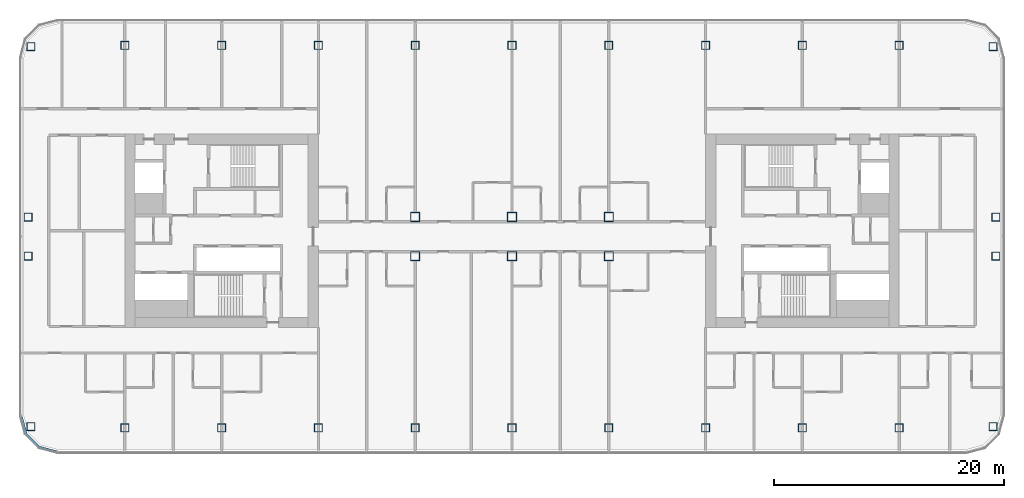
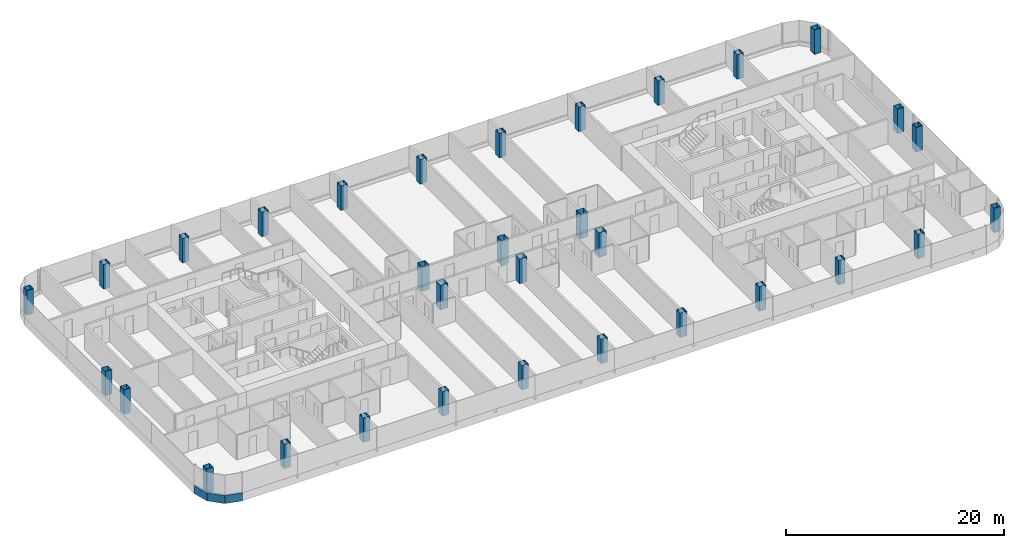
# One storey, part 1 of 26: 32 columns, 1 member, 1 element without a shape of its own.
"""IFC4 building model written with IfcOpenShell, lengths in metres."""

from ifc_helpers import new_model, si_unit, direction, frame, origin, origin_2d, place, context, subcontext, project, spatial, polyline, rectangle, hollow_rectangle, outline, extrude, material, layer, layer_set, material_profile, profile_set, type_object, element, aggregate, save


model = new_model("IFC4")

# Units and contexts
model_context = context("Model", 3, precision=1e-05, world=origin(), true_north=direction((0.0, 1.0)))
body_context = subcontext(model_context, "Body", "Model", "MODEL_VIEW")
ifc_project = project(units=[si_unit("LENGTHUNIT", "METRE"), si_unit("AREAUNIT", "SQUARE_METRE"), si_unit("VOLUMEUNIT", "CUBIC_METRE"), si_unit("PLANEANGLEUNIT", "RADIAN"), si_unit("MASSUNIT", "GRAM", prefix="KILO")], contexts=[model_context])

# Site, building, storey
site_placement = place(None, origin())
site = spatial("IfcSite", under=ifc_project, at=site_placement, CompositionType="ELEMENT")
building_placement = place(site_placement, origin())
building = spatial("IfcBuilding", under=site, at=building_placement, Name="Hakoniwa Tower and Hamabe Station Hall", CompositionType="ELEMENT")
storey_placement = place(building_placement, frame((0.0, 0.0, 156.60009765625)))
storey = spatial("IfcBuildingStorey", under=building, at=storey_placement, Name="L44", CompositionType="ELEMENT", Elevation=156.60009765625)

# Columns
ifc_material_1 = material(Name="Steel SN490C", Category="steel")
ifc_material_profile_1 = material_profile(ifc_material_1, hollow_rectangle(XDim=0.699951171875, YDim=0.699951171875, WallThickness=0.028076171875, at=origin_2d()), Name="BX-700x700x28")
ifc_profile_set_1 = profile_set([ifc_material_profile_1], Name="Steel SN490C")
column_type_1 = type_object("IfcColumnType", Name="COLUMN BX-700x700x28", PredefinedType="COLUMN", material=ifc_profile_set_1)
for number, where, z_axis, x_axis, name in (
    (1, (-41.74853515625, -16.99365234375, 0.0), (0.0, 0.0, 1.0), (1.0, 0.0, 0.0), "Column B3-2-A3"),
    (2, (-42.0, -2.199951171875, 0.0), (0.0, 0.0, 1.0), (1.0, 0.0, 0.0), "Column B3-2-C3"),
    (3, (-42.0, 1.199951171875, 0.0), (0.0, 0.0, 1.0), (1.0, 0.0, 0.0), "Column B3-2-D3"),
    (4, (-41.74853515625, 15.99365234375, 0.0), (0.0, 0.0, 1.0), (1.0, 0.0, 0.0), "Column B3-2-F3"),
    (5, (-33.60009765625, -17.10009765625, 0.0), (0.0, 0.0, 1.0), (1.0, 0.0, 0.0), "Column B3-3-A3"),
    (6, (-33.60009765625, 16.10009765625, 0.0), (0.0, 0.0, 1.0), (1.0, 0.0, 0.0), "Column B3-3-F3"),
    (7, (-25.199951171875, -17.10009765625, 0.0), (0.0, 0.0, 1.0), (1.0, 0.0, 0.0), "Column B3-4-A3"),
    (8, (-25.199951171875, 16.10009765625, 0.0), (0.0, 0.0, 1.0), (1.0, 0.0, 0.0), "Column B3-4-F3"),
    (9, (-16.800048828125, -17.10009765625, 0.0), (0.0, 0.0, 1.0), (1.0, 0.0, 0.0), "Column B3-5-A3"),
    (10, (-16.800048828125, 16.10009765625, 0.0), (0.0, 0.0, 1.0), (1.0, 0.0, 0.0), "Column B3-5-F3"),
    (11, (-8.39990234375, -17.10009765625, 0.0), (0.0, 0.0, 1.0), (1.0, 0.0, 0.0), "Column B3-6-A3"),
    (12, (-8.39990234375, 16.10009765625, 0.0), (0.0, 0.0, 1.0), (1.0, 0.0, 0.0), "Column B3-6-F3"),
    (13, (0.0, -17.10009765625, 0.0), (0.0, 0.0, 1.0), (1.0, 0.0, 0.0), "Column B3-7-A3"),
    (14, (0.0, 16.10009765625, 0.0), (0.0, 0.0, 1.0), (1.0, 0.0, 0.0), "Column B3-7-F3"),
    (15, (8.39990234375, -17.10009765625, 0.0), (0.0, 0.0, 1.0), (1.0, 0.0, 0.0), "Column B3-8-A3"),
    (16, (8.39990234375, 16.10009765625, 0.0), (0.0, 0.0, 1.0), (1.0, 0.0, 0.0), "Column B3-8-F3"),
    (17, (16.800048828125, -17.10009765625, 0.0), (0.0, 0.0, 1.0), (1.0, 0.0, 0.0), "Column B3-9-A3"),
    (18, (16.800048828125, 16.10009765625, 0.0), (0.0, 0.0, 1.0), (1.0, 0.0, 0.0), "Column B3-9-F3"),
    (19, (25.199951171875, -17.10009765625, 0.0), (0.0, 0.0, 1.0), (1.0, 0.0, 0.0), "Column B3-10-A3"),
    (20, (25.199951171875, 16.10009765625, 0.0), (0.0, 0.0, 1.0), (1.0, 0.0, 0.0), "Column B3-10-F3"),
    (21, (33.60009765625, -17.10009765625, 0.0), (0.0, 0.0, 1.0), (1.0, 0.0, 0.0), "Column B3-11-A3"),
    (22, (33.60009765625, 16.10009765625, 0.0), (0.0, 0.0, 1.0), (1.0, 0.0, 0.0), "Column B3-11-F3"),
    (23, (41.74853515625, -16.99365234375, 0.0), (0.0, 0.0, 1.0), (1.0, 0.0, 0.0), "Column B3-12-A3"),
    (24, (42.0, -2.199951171875, 0.0), (0.0, 0.0, 1.0), (1.0, 0.0, 0.0), "Column B3-12-C3"),
    (25, (42.0, 1.199951171875, 0.0), (0.0, 0.0, 1.0), (1.0, 0.0, 0.0), "Column B3-12-D3"),
    (26, (41.74853515625, 15.99365234375, 0.0), (0.0, 0.0, 1.0), (1.0, 0.0, 0.0), "Column B3-12-F3"),
):
    element("IfcColumn", number, at=place(storey_placement, frame(where, z_axis=z_axis, x_axis=x_axis)), inside=storey, type_object=column_type_1, Name=name, PredefinedType="COLUMN", context=body_context, shape_type="SweptSolid", body=[
        extrude(hollow_rectangle(XDim=0.699951171875, YDim=0.699951171875, WallThickness=0.028076171875, at=origin_2d()), origin(), (0.0, 0.0, 1.0), 2.75),
    ])
ifc_material_2 = material(Name="Steel SN490C", Category="steel")
ifc_material_profile_2 = material_profile(ifc_material_2, hollow_rectangle(XDim=0.800048828125, YDim=0.800048828125, WallThickness=0.031982421875, at=origin_2d()), Name="BX-800x800x32")
ifc_profile_set_2 = profile_set([ifc_material_profile_2], Name="Steel SN490C")
column_type_2 = type_object("IfcColumnType", Name="COLUMN BX-800x800x32", PredefinedType="COLUMN", material=ifc_profile_set_2)
for number, where, z_axis, x_axis, name in (
    (27, (-8.39990234375, -2.199951171875, 0.0), (0.0, 0.0, 1.0), (1.0, 0.0, 0.0), "Column B3-6-C3"),
    (28, (-8.39990234375, 1.199951171875, 0.0), (0.0, 0.0, 1.0), (1.0, 0.0, 0.0), "Column B3-6-D3"),
    (29, (0.0, -2.199951171875, 0.0), (0.0, 0.0, 1.0), (1.0, 0.0, 0.0), "Column B3-7-C3"),
    (30, (0.0, 1.199951171875, 0.0), (0.0, 0.0, 1.0), (1.0, 0.0, 0.0), "Column B3-7-D3"),
    (31, (8.39990234375, -2.199951171875, 0.0), (0.0, 0.0, 1.0), (1.0, 0.0, 0.0), "Column B3-8-C3"),
    (32, (8.39990234375, 1.199951171875, 0.0), (0.0, 0.0, 1.0), (1.0, 0.0, 0.0), "Column B3-8-D3"),
):
    element("IfcColumn", number, at=place(storey_placement, frame(where, z_axis=z_axis, x_axis=x_axis)), inside=storey, type_object=column_type_2, Name=name, PredefinedType="COLUMN", context=body_context, shape_type="SweptSolid", body=[
        extrude(hollow_rectangle(XDim=0.800048828125, YDim=0.800048828125, WallThickness=0.031982421875, at=origin_2d()), origin(), (0.0, 0.0, 1.0), 2.75),
    ])

# Curtain wall, member
ifc_material_3 = material(Name="Dark low-e laminated glass", Category="glass")
ifc_layer = layer(ifc_material_3, 0.199951171875)
ifc_layer_set = layer_set([ifc_layer], Name="CW-1 UNITISED GUEST")
curtain_wall_type = type_object("IfcCurtainWallType", Name="CW-1 UNITISED GUEST", PredefinedType="NOTDEFINED", material=ifc_layer_set)
curtain_wall_placement = place(storey_placement, origin())
curtain_wall = element("IfcCurtainWall", 33, at=curtain_wall_placement, inside=storey, type_object=curtain_wall_type, Name="CW-1 curtain wall", PredefinedType="NOTDEFINED")
ifc_material_4 = material(Name="Aluminium 6063-T5 black anodised", Category="aluminium")
ifc_material_profile_3 = material_profile(ifc_material_4, rectangle(XDim=0.199951171875, YDim=0.89990234375, at=origin_2d()), Name="CW SLAB-EDGE BAND 900X200")
ifc_profile_set_3 = profile_set([ifc_material_profile_3], Name="Aluminium 6063-T5 black anodised")
member_type = type_object("IfcMemberType", Name="CW SLAB-EDGE BAND 900X200", PredefinedType="USERDEFINED", material=ifc_profile_set_3)
member_placement = place(storey_placement, frame((0.0, 0.0, -0.550048828125)))
member = element("IfcMember", 34, at=member_placement, type_object=member_type, Name="CW-1 transom", ObjectType="TRANSOM", PredefinedType="USERDEFINED", context=body_context, shape_type="SweptSolid", body=[
    extrude(outline(polyline([(-42.699951171875, -16.03955078125), (-42.26708984375, -17.6552734375), (-41.05517578125, -18.866943359375), (-39.439453125, -19.300048828125), (-39.3876953125, -19.10693359375), (-40.95166015625, -18.687744140625), (-42.087646484375, -17.5517578125), (-42.5068359375, -15.98779296875), (-42.699951171875, -16.03955078125)])), origin(), (0.0, 0.0, 1.0), 0.89990234375),
])
aggregate(curtain_wall, [member])

save(model, "model.ifc")
